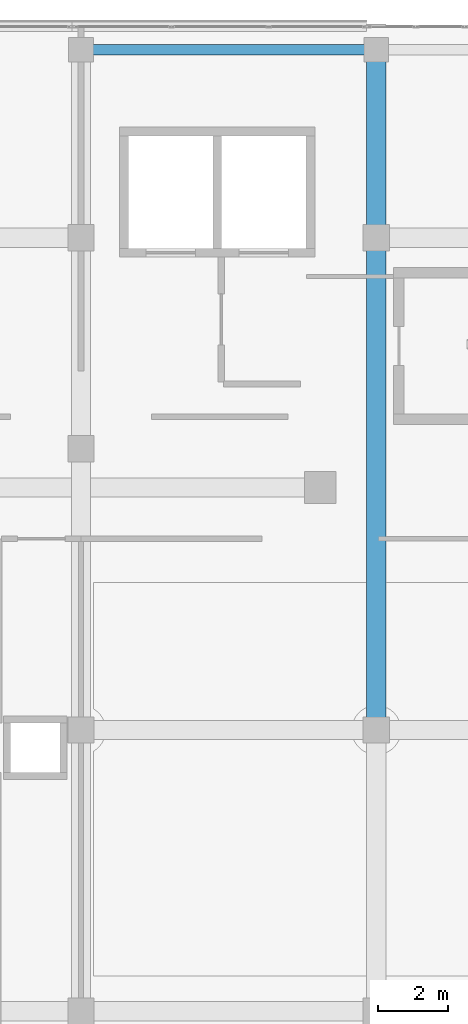
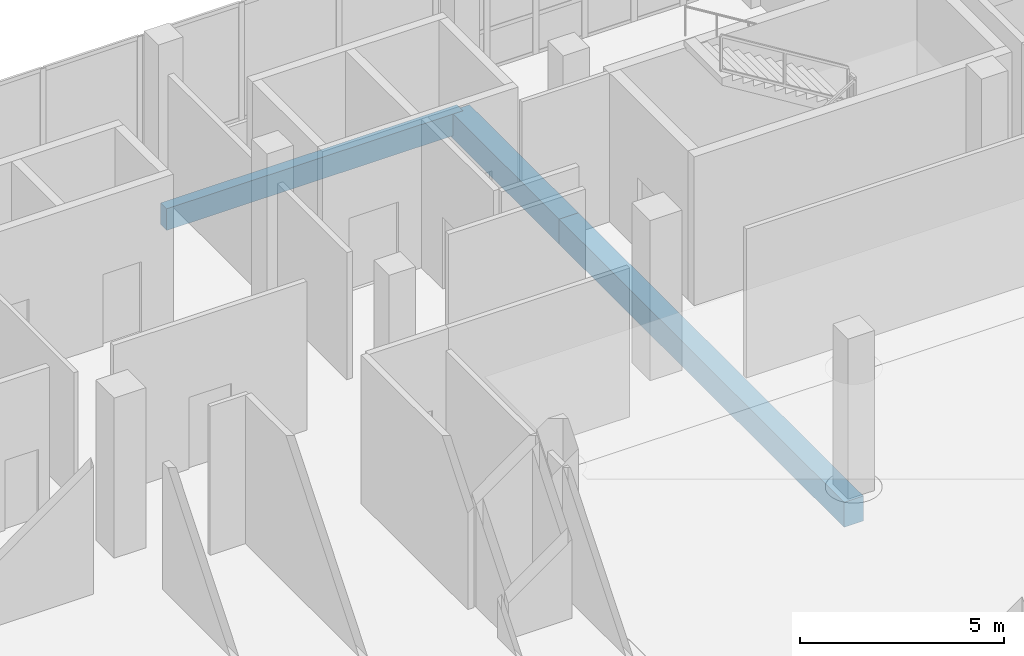
# One storey, part 90 of 155: 3 beams.
"""IFC4 building model written with IfcOpenShell, lengths in metres."""

from ifc_helpers import new_model, si_unit, direction, frame, origin, origin_2d, place, context, subcontext, project, spatial, rectangle, extrude, material, material_profile, profile_set, type_object, element, save


model = new_model("IFC4")

# Units and contexts
model_context = context("Model", 3, precision=1e-05, world=origin(), true_north=direction((0.0, 1.0)))
body_context = subcontext(model_context, "Body", "Model", "MODEL_VIEW")
ifc_project = project(units=[si_unit("LENGTHUNIT", "METRE"), si_unit("AREAUNIT", "SQUARE_METRE"), si_unit("VOLUMEUNIT", "CUBIC_METRE"), si_unit("PLANEANGLEUNIT", "RADIAN"), si_unit("MASSUNIT", "GRAM", prefix="KILO")], contexts=[model_context])

# Site, building, storey
site_placement = place(None, origin())
site = spatial("IfcSite", under=ifc_project, at=site_placement, CompositionType="ELEMENT")
building_placement = place(site_placement, origin())
building = spatial("IfcBuilding", under=site, at=building_placement, Name="Selatvlak General Hospital", CompositionType="ELEMENT")
storey_placement = place(building_placement, frame((0.0, 0.0, 10.199951171875)))
storey = spatial("IfcBuildingStorey", under=building, at=storey_placement, Name="L02", CompositionType="ELEMENT", Elevation=10.199951171875)

# Beams
ifc_material = material(Name="Concrete C40/50", Category="concrete")
ifc_material_profile_1 = material_profile(ifc_material, rectangle(XDim=0.550048828125, YDim=0.75, at=origin_2d()), Name="RC-BM 550x750")
ifc_profile_set_1 = profile_set([ifc_material_profile_1], Name="Concrete C40/50")
beam_type_1 = type_object("IfcBeamType", Name="BM-G02", PredefinedType="BEAM", material=ifc_profile_set_1)
beam_1_placement = place(storey_placement, frame((132.0, 100.0, -0.72998046875), z_axis=(0.0, 1.0, 0.0), x_axis=(-1.0, 0.0, 0.0)))
element("IfcBeam", 1, at=beam_1_placement, inside=storey, type_object=beam_type_1, Name="Beam BMR-L02-1026", PredefinedType="BEAM", context=body_context, shape_type="SweptSolid", body=[
    extrude(rectangle(XDim=0.550048828125, YDim=0.75, at=origin_2d()), origin(), (0.0, 0.0, 1.0), 14.0),
])
beam_2_placement = place(storey_placement, frame((132.0, 114.0, -0.72998046875), z_axis=(0.0, 1.0, 0.0), x_axis=(-1.0, 0.0, 0.0)))
element("IfcBeam", 2, at=beam_2_placement, inside=storey, type_object=beam_type_1, Name="Beam BMR-L02-1027", PredefinedType="BEAM", context=body_context, shape_type="SweptSolid", body=[
    extrude(rectangle(XDim=0.550048828125, YDim=0.75, at=origin_2d()), origin(), (0.0, 0.0, 1.0), 5.35009765625),
])
ifc_material_profile_2 = material_profile(ifc_material, rectangle(XDim=0.300048828125, YDim=0.64990234375, at=origin_2d()), Name="RC-SP 300x650")
ifc_profile_set_2 = profile_set([ifc_material_profile_2], Name="Concrete C40/50")
beam_type_2 = type_object("IfcBeamType", Name="BM-SP1", PredefinedType="SPANDREL", material=ifc_profile_set_2)
beam_3_placement = place(storey_placement, frame((123.60009765625, 119.35009765625, -0.679931640625), z_axis=(1.0, 0.0, 0.0), x_axis=(0.0, 1.0, 0.0)))
element("IfcBeam", 3, at=beam_3_placement, inside=storey, type_object=beam_type_2, Name="Beam BMR-L02-0917", PredefinedType="SPANDREL", context=body_context, shape_type="SweptSolid", body=[
    extrude(rectangle(XDim=0.300048828125, YDim=0.64990234375, at=origin_2d()), origin(), (0.0, 0.0, 1.0), 8.39990234375),
])

save(model, "model.ifc")
